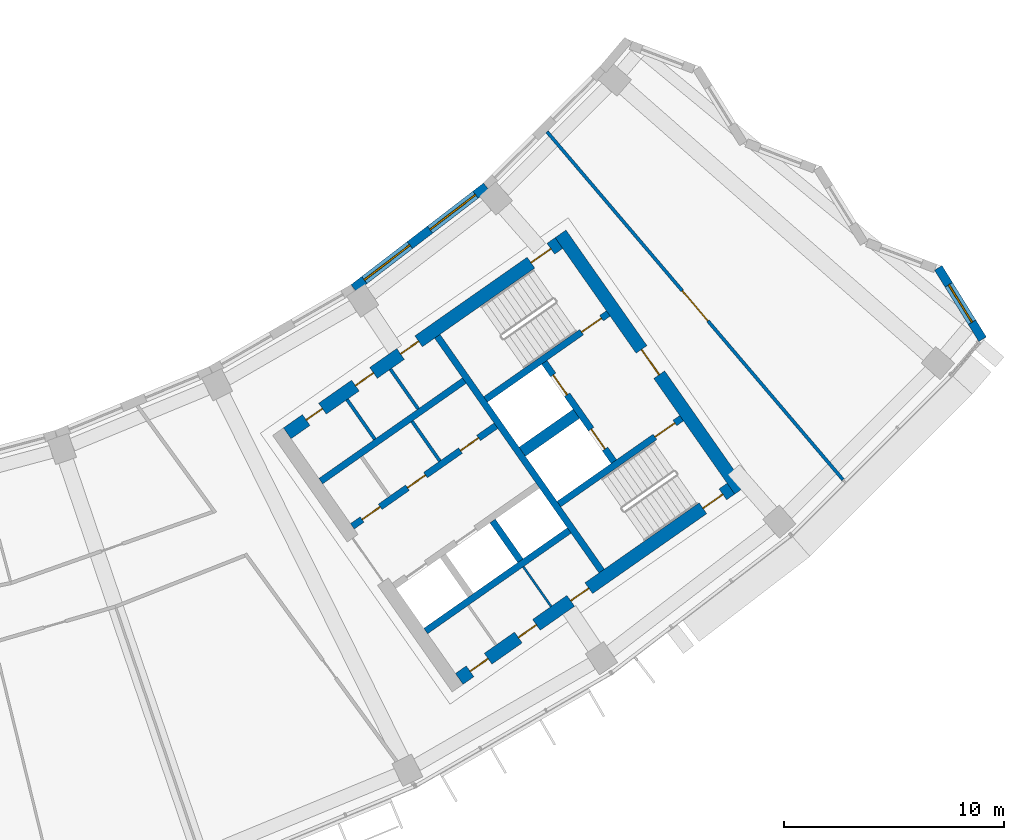
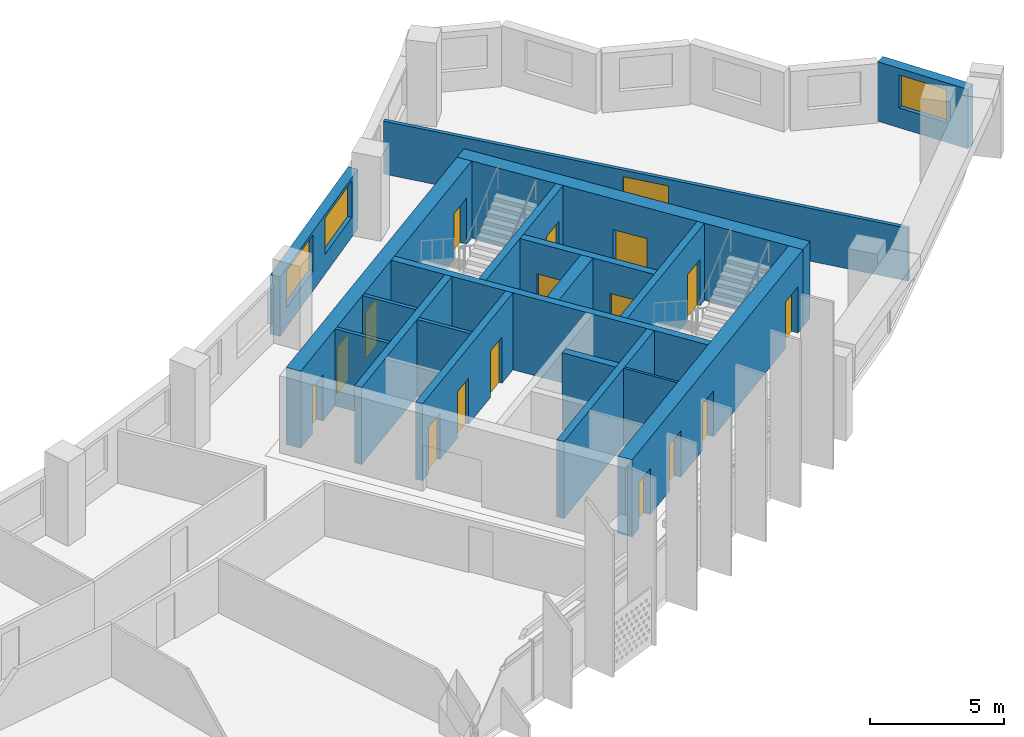
# One storey, part 7 of 28: 19 walls, 17 doors, 3 windows, 20 openings.
"""IFC4 building model written with IfcOpenShell, lengths in metres."""

from ifc_helpers import new_model, si_unit, direction, frame, frame_2d, origin, place, context, subcontext, project, spatial, rectangle, extrude, material, layer, layer_set, type_object, element, fill, save


model = new_model("IFC4")

# Units and contexts
model_context = context("Model", 3, precision=1e-05, world=origin(), true_north=direction((0.0, 1.0)))
body_context = subcontext(model_context, "Body", "Model", "MODEL_VIEW")
ifc_project = project(units=[si_unit("LENGTHUNIT", "METRE"), si_unit("AREAUNIT", "SQUARE_METRE"), si_unit("VOLUMEUNIT", "CUBIC_METRE"), si_unit("PLANEANGLEUNIT", "RADIAN"), si_unit("MASSUNIT", "GRAM", prefix="KILO")], contexts=[model_context])

# Site, building, storey
site_placement = place(None, origin())
site = spatial("IfcSite", under=ifc_project, at=site_placement, CompositionType="ELEMENT")
building_placement = place(site_placement, origin())
building = spatial("IfcBuilding", under=site, at=building_placement, Name="Qamariyya Broadcast Tower", CompositionType="ELEMENT")
storey_placement = place(building_placement, frame((0.0, 0.0, 218.89990234375)))
storey = spatial("IfcBuildingStorey", under=building, at=storey_placement, Name="L52", CompositionType="ELEMENT", Elevation=218.89990234375)

# Wall, opening, door
ifc_material_1 = material(Name="Concrete C60/75", Category="concrete")
ifc_layer_1 = layer(ifc_material_1, 0.60009765625)
ifc_layer_set_1 = layer_set([ifc_layer_1], Name="Core wall 600 mm Concrete C60/75")
wall_type_1 = type_object("IfcWallType", Name="Core wall 600 mm Concrete C60/75", PredefinedType="SHEAR", material=ifc_layer_set_1)
wall_1_placement = place(storey_placement, frame((49.4833984375, -57.031494140625, 0.0), z_axis=(0.0, 0.0, 1.0), x_axis=(-0.573560421458, 0.819163257805, 0.0)))
wall_1 = element("IfcWall", 1, at=wall_1_placement, inside=storey, type_object=wall_type_1, Name="k-E-L52-WH", PredefinedType="SHEAR", context=body_context, shape_type="SweptSolid", body=[
    extrude(rectangle(XDim=14.199951171875, YDim=0.60009765625, at=frame_2d((7.10009765625, 0.0))), origin(), (0.0, 0.0, 1.0), 3.5),
])
opening_1_placement = place(wall_1_placement, frame((6.39990234375, 0.0, 0.0)))
opening_1 = element("IfcOpeningElement", 2, at=opening_1_placement, cuts=wall_1, Name="Opening KD2-E1", PredefinedType="OPENING", context=body_context, shape_type="SweptSolid", body=[
    extrude(rectangle(XDim=1.39990234375, YDim=2.10009765625, at=frame_2d((0.699951171875, 1.050048828125))), frame((0.0, 0.31005859375, 0.0), z_axis=(0.0, -1.0, 0.0), x_axis=(1.0, 0.0, 0.0)), (0.0, 0.0, 1.0), 0.6201171875),
])
ifc_material_2 = material(Name="Steel fire-resisting door leaf", Category="steel")
door_type_1 = type_object("IfcDoorType", Name="Fire-fighting lobby door KD2", OperationType="DOUBLE_DOOR_SINGLE_SWING", PredefinedType="DOOR", material=ifc_material_2)
door_1_placement = place(opening_1_placement, origin())
door_1 = element("IfcDoor", 3, at=door_1_placement, inside=storey, type_object=door_type_1, Name="k-E-L52-WH-D15", OperationType="DOUBLE_DOOR_SINGLE_SWING", OverallHeight=2.10009765625, OverallWidth=1.39990234375, PredefinedType="DOOR", context=body_context, shape_type="SweptSolid", body=[
    extrude(rectangle(XDim=1.39990234375, YDim=2.10009765625, at=frame_2d((0.699951171875, 1.050048828125))), frame((0.0, 0.02490234375, 0.0), z_axis=(0.0, -1.0, 0.0), x_axis=(1.0, 0.0, 0.0)), (0.0, 0.0, 1.0), 0.050048828125),
])
fill(opening_1, door_1)

# Wall, openings, doors
wall_2_placement = place(storey_placement, frame((28.940673828125, -54.447021484375, 0.0), z_axis=(0.0, 0.0, 1.0), x_axis=(0.819153391756, 0.573574511963, 0.0)))
wall_2 = element("IfcWall", 4, at=wall_2_placement, inside=storey, type_object=wall_type_1, Name="k-E-L52-WI", PredefinedType="SHEAR", context=body_context, shape_type="SweptSolid", body=[
    extrude(rectangle(XDim=15.04541015625, YDim=0.60009765625, at=frame_2d((7.522705078125, 0.0))), origin(), (0.0, 0.0, 1.0), 3.5),
])
opening_2_placement = place(wall_2_placement, frame((1.050048828125, 0.0, 0.0)))
opening_2 = element("IfcOpeningElement", 5, at=opening_2_placement, cuts=wall_2, Name="Opening KD5-E1", PredefinedType="OPENING", context=body_context, shape_type="SweptSolid", body=[
    extrude(rectangle(XDim=0.89990234375, YDim=2.10009765625, at=frame_2d((0.449951171875, 1.050048828125))), frame((0.0, 0.31005859375, 0.0), z_axis=(0.0, -1.0, 0.0), x_axis=(1.0, 0.0, 0.0)), (0.0, 0.0, 1.0), 0.6201171875),
])
opening_3_placement = place(wall_2_placement, frame((3.77490234375, 0.0, 0.0)))
opening_3 = element("IfcOpeningElement", 6, at=opening_3_placement, cuts=wall_2, Name="Opening KD7-E1", PredefinedType="OPENING", context=body_context, shape_type="SweptSolid", body=[
    extrude(rectangle(XDim=1.0, YDim=2.10009765625, at=frame_2d((0.5, 1.050048828125))), frame((0.0, 0.31005859375, 0.0), z_axis=(0.0, -1.0, 0.0), x_axis=(1.0, 0.0, 0.0)), (0.0, 0.0, 1.0), 0.6201171875),
])
opening_4_placement = place(wall_2_placement, frame((6.27490234375, 0.0, 0.0)))
opening_4 = element("IfcOpeningElement", 7, at=opening_4_placement, cuts=wall_2, Name="Opening KD6-E3", PredefinedType="OPENING", context=body_context, shape_type="SweptSolid", body=[
    extrude(rectangle(XDim=1.0, YDim=2.10009765625, at=frame_2d((0.5, 1.050048828125))), frame((0.0, 0.31005859375, 0.0), z_axis=(0.0, -1.0, 0.0), x_axis=(1.0, 0.0, 0.0)), (0.0, 0.0, 1.0), 0.6201171875),
])
opening_5_placement = place(wall_2_placement, frame((13.495361328125, 0.0, 0.0)))
opening_5 = element("IfcOpeningElement", 8, at=opening_5_placement, cuts=wall_2, Name="Opening KD1-E1", PredefinedType="OPENING", context=body_context, shape_type="SweptSolid", body=[
    extrude(rectangle(XDim=1.10009765625, YDim=2.10009765625, at=frame_2d((0.550048828125, 1.050048828125))), frame((0.0, 0.31005859375, 0.0), z_axis=(0.0, -1.0, 0.0), x_axis=(1.0, 0.0, 0.0)), (0.0, 0.0, 1.0), 0.6201171875),
])
door_type_2 = type_object("IfcDoorType", Name="Accessible toilet door KD7", OperationType="SINGLE_SWING_LEFT", PredefinedType="DOOR", material=ifc_material_2)
door_2_placement = place(opening_3_placement, origin())
door_2 = element("IfcDoor", 9, at=door_2_placement, inside=storey, type_object=door_type_2, Name="k-E-L52-WI-D8", OperationType="SINGLE_SWING_RIGHT", OverallHeight=2.10009765625, OverallWidth=1.0, PredefinedType="DOOR", context=body_context, shape_type="SweptSolid", body=[
    extrude(rectangle(XDim=1.0, YDim=2.10009765625, at=frame_2d((0.5, 1.050048828125))), frame((0.0, 0.02490234375, 0.0), z_axis=(0.0, -1.0, 0.0), x_axis=(1.0, 0.0, 0.0)), (0.0, 0.0, 1.0), 0.050048828125),
])
fill(opening_3, door_2)
door_type_3 = type_object("IfcDoorType", Name="Core room door KD6", OperationType="SINGLE_SWING_LEFT", PredefinedType="DOOR", material=ifc_material_2)
door_3_placement = place(opening_4_placement, origin())
door_3 = element("IfcDoor", 10, at=door_3_placement, inside=storey, type_object=door_type_3, Name="k-E-L52-WI-D9", OperationType="SINGLE_SWING_LEFT", OverallHeight=2.10009765625, OverallWidth=1.0, PredefinedType="DOOR", context=body_context, shape_type="SweptSolid", body=[
    extrude(rectangle(XDim=1.0, YDim=2.10009765625, at=frame_2d((0.5, 1.050048828125))), frame((0.0, 0.02490234375, 0.0), z_axis=(0.0, -1.0, 0.0), x_axis=(1.0, 0.0, 0.0)), (0.0, 0.0, 1.0), 0.050048828125),
])
fill(opening_4, door_3)
door_type_4 = type_object("IfcDoorType", Name="Stair door KD1", OperationType="SINGLE_SWING_LEFT", PredefinedType="DOOR", material=ifc_material_2)
door_4_placement = place(opening_5_placement, origin())
door_4 = element("IfcDoor", 11, at=door_4_placement, inside=storey, type_object=door_type_4, Name="k-E-L52-WI-D16", OperationType="SINGLE_SWING_RIGHT", OverallHeight=2.10009765625, OverallWidth=1.10009765625, PredefinedType="DOOR", context=body_context, shape_type="SweptSolid", body=[
    extrude(rectangle(XDim=1.10009765625, YDim=2.10009765625, at=frame_2d((0.550048828125, 1.050048828125))), frame((0.0, 0.02490234375, 0.0), z_axis=(0.0, -1.0, 0.0), x_axis=(1.0, 0.0, 0.0)), (0.0, 0.0, 1.0), 0.050048828125),
])
fill(opening_5, door_4)
door_type_5 = type_object("IfcDoorType", Name="Toilet door KD5", OperationType="SINGLE_SWING_LEFT", PredefinedType="DOOR", material=ifc_material_2)
door_5_placement = place(opening_2_placement, origin())
door_5 = element("IfcDoor", 12, at=door_5_placement, inside=storey, type_object=door_type_5, Name="k-E-L52-WI-D7", OperationType="SINGLE_SWING_LEFT", OverallHeight=2.10009765625, OverallWidth=0.89990234375, PredefinedType="DOOR", context=body_context, shape_type="SweptSolid", body=[
    extrude(rectangle(XDim=0.89990234375, YDim=2.10009765625, at=frame_2d((0.449951171875, 1.050048828125))), frame((0.0, 0.02490234375, 0.0), z_axis=(0.0, -1.0, 0.0), x_axis=(1.0, 0.0, 0.0)), (0.0, 0.0, 1.0), 0.050048828125),
])
fill(opening_2, door_5)

wall_3_placement = place(storey_placement, frame((36.7412109375, -65.58740234375, 0.0), z_axis=(0.0, 0.0, 1.0), x_axis=(0.819153391756, 0.573574511963, 0.0)))
wall_3 = element("IfcWall", 13, at=wall_3_placement, inside=storey, type_object=wall_type_1, Name="k-E-L52-WO", PredefinedType="SHEAR", context=body_context, shape_type="SweptSolid", body=[
    extrude(rectangle(XDim=15.04541015625, YDim=0.60009765625, at=frame_2d((7.522705078125, 0.0))), origin(), (0.0, 0.0, 1.0), 3.5),
])
opening_6_placement = place(wall_3_placement, frame((0.60009765625, 0.0, 0.0)))
opening_6 = element("IfcOpeningElement", 14, at=opening_6_placement, cuts=wall_3, Name="Opening KD4-E2", PredefinedType="OPENING", context=body_context, shape_type="SweptSolid", body=[
    extrude(rectangle(XDim=1.0, YDim=2.10009765625, at=frame_2d((0.5, 1.050048828125))), frame((0.0, 0.31005859375, 0.0), z_axis=(0.0, -1.0, 0.0), x_axis=(1.0, 0.0, 0.0)), (0.0, 0.0, 1.0), 0.6201171875),
])
opening_7_placement = place(wall_3_placement, frame((3.27490234375, 0.0, 0.0)))
opening_7 = element("IfcOpeningElement", 15, at=opening_7_placement, cuts=wall_3, Name="Opening KD4-E3", PredefinedType="OPENING", context=body_context, shape_type="SweptSolid", body=[
    extrude(rectangle(XDim=1.0, YDim=2.10009765625, at=frame_2d((0.5, 1.050048828125))), frame((0.0, 0.31005859375, 0.0), z_axis=(0.0, -1.0, 0.0), x_axis=(1.0, 0.0, 0.0)), (0.0, 0.0, 1.0), 0.6201171875),
])
opening_8_placement = place(wall_3_placement, frame((6.175048828125, 0.0, 0.0)))
opening_8 = element("IfcOpeningElement", 16, at=opening_8_placement, cuts=wall_3, Name="Opening KD4-E4", PredefinedType="OPENING", context=body_context, shape_type="SweptSolid", body=[
    extrude(rectangle(XDim=1.0, YDim=2.10009765625, at=frame_2d((0.5, 1.050048828125))), frame((0.0, 0.31005859375, 0.0), z_axis=(0.0, -1.0, 0.0), x_axis=(1.0, 0.0, 0.0)), (0.0, 0.0, 1.0), 0.6201171875),
])
opening_9_placement = place(wall_3_placement, frame((13.495361328125, 0.0, 0.0)))
opening_9 = element("IfcOpeningElement", 17, at=opening_9_placement, cuts=wall_3, Name="Opening KD1-E3", PredefinedType="OPENING", context=body_context, shape_type="SweptSolid", body=[
    extrude(rectangle(XDim=1.10009765625, YDim=2.10009765625, at=frame_2d((0.550048828125, 1.050048828125))), frame((0.0, 0.31005859375, 0.0), z_axis=(0.0, -1.0, 0.0), x_axis=(1.0, 0.0, 0.0)), (0.0, 0.0, 1.0), 0.6201171875),
])
door_type_6 = type_object("IfcDoorType", Name="Riser and plant door KD4", OperationType="SINGLE_SWING_LEFT", PredefinedType="DOOR", material=ifc_material_2)
door_6_placement = place(opening_6_placement, origin())
door_6 = element("IfcDoor", 18, at=door_6_placement, inside=storey, type_object=door_type_6, Name="k-E-L52-WO-D10", OperationType="SINGLE_SWING_RIGHT", OverallHeight=2.10009765625, OverallWidth=1.0, PredefinedType="DOOR", context=body_context, shape_type="SweptSolid", body=[
    extrude(rectangle(XDim=1.0, YDim=2.10009765625, at=frame_2d((0.5, 1.050048828125))), frame((0.0, 0.02490234375, 0.0), z_axis=(0.0, -1.0, 0.0), x_axis=(1.0, 0.0, 0.0)), (0.0, 0.0, 1.0), 0.050048828125),
])
fill(opening_6, door_6)
door_7_placement = place(opening_7_placement, origin())
door_7 = element("IfcDoor", 19, at=door_7_placement, inside=storey, type_object=door_type_6, Name="k-E-L52-WO-D11", OperationType="SINGLE_SWING_LEFT", OverallHeight=2.10009765625, OverallWidth=1.0, PredefinedType="DOOR", context=body_context, shape_type="SweptSolid", body=[
    extrude(rectangle(XDim=1.0, YDim=2.10009765625, at=frame_2d((0.5, 1.050048828125))), frame((0.0, 0.02490234375, 0.0), z_axis=(0.0, -1.0, 0.0), x_axis=(1.0, 0.0, 0.0)), (0.0, 0.0, 1.0), 0.050048828125),
])
fill(opening_7, door_7)
door_8_placement = place(opening_8_placement, origin())
door_8 = element("IfcDoor", 20, at=door_8_placement, inside=storey, type_object=door_type_6, Name="k-E-L52-WO-D12", OperationType="SINGLE_SWING_RIGHT", OverallHeight=2.10009765625, OverallWidth=1.0, PredefinedType="DOOR", context=body_context, shape_type="SweptSolid", body=[
    extrude(rectangle(XDim=1.0, YDim=2.10009765625, at=frame_2d((0.5, 1.050048828125))), frame((0.0, 0.02490234375, 0.0), z_axis=(0.0, -1.0, 0.0), x_axis=(1.0, 0.0, 0.0)), (0.0, 0.0, 1.0), 0.050048828125),
])
fill(opening_8, door_8)
door_9_placement = place(opening_9_placement, origin())
door_9 = element("IfcDoor", 21, at=door_9_placement, inside=storey, type_object=door_type_4, Name="k-E-L52-WO-D18", OperationType="SINGLE_SWING_LEFT", OverallHeight=2.10009765625, OverallWidth=1.10009765625, PredefinedType="DOOR", context=body_context, shape_type="SweptSolid", body=[
    extrude(rectangle(XDim=1.10009765625, YDim=2.10009765625, at=frame_2d((0.550048828125, 1.050048828125))), frame((0.0, 0.02490234375, 0.0), z_axis=(0.0, -1.0, 0.0), x_axis=(1.0, 0.0, 0.0)), (0.0, 0.0, 1.0), 0.050048828125),
])
fill(opening_9, door_9)

# Wall, opening, door
ifc_material_3 = material(Name="Gypsum board partition")
ifc_layer_2 = layer(ifc_material_3, 0.14990234375)
ifc_layer_set_2 = layer_set([ifc_layer_2], Name="Corridor partition 150 EI 60")
wall_type_2 = type_object("IfcWallType", Name="Corridor partition 150 EI 60", PredefinedType="PARTITIONING", material=ifc_layer_set_2)
wall_4_placement = place(storey_placement, frame((40.724853515625, -40.7705078125, 0.0), z_axis=(0.0, 0.0, 1.0), x_axis=(0.647962636986, -0.761672121762, 0.0)))
wall_4 = element("IfcWall", 22, at=wall_4_placement, inside=storey, type_object=wall_type_2, Name="Partition L52-033", PredefinedType="PARTITIONING", context=body_context, shape_type="SweptSolid", body=[
    extrude(rectangle(XDim=20.723388671875, YDim=0.14990234375, at=frame_2d((10.36181640625, 0.0))), origin(), (0.0, 0.0, 1.0), 2.400146484375),
])
opening_10_placement = place(wall_4_placement, frame((9.461669921875, 0.0, 0.0)))
opening_10 = element("IfcOpeningElement", 23, at=opening_10_placement, cuts=wall_4, Name="Opening L52-D16", PredefinedType="OPENING", context=body_context, shape_type="SweptSolid", body=[
    extrude(rectangle(XDim=1.800048828125, YDim=2.10009765625, at=frame_2d((0.89990234375, 1.050048828125))), frame((0.0, 0.0849609375, 0.0), z_axis=(0.0, -1.0, 0.0), x_axis=(1.0, 0.0, 0.0)), (0.0, 0.0, 1.0), 0.169921875),
])
ifc_material_4 = material(Name="Timber fire door leaf", Category="wood")
door_type_7 = type_object("IfcDoorType", Name="Double fire door 1800 x 2100 FD60", OperationType="NOTDEFINED", PredefinedType="DOOR", material=ifc_material_4)
door_10_placement = place(opening_10_placement, origin())
door_10 = element("IfcDoor", 24, at=door_10_placement, inside=storey, type_object=door_type_7, Name="Door L52-D16", OperationType="DOUBLE_DOOR_SINGLE_SWING", OverallHeight=2.10009765625, OverallWidth=1.800048828125, PredefinedType="DOOR", context=body_context, shape_type="SweptSolid", body=[
    extrude(rectangle(XDim=1.800048828125, YDim=2.10009765625, at=frame_2d((0.89990234375, 1.050048828125))), frame((0.0, 0.02490234375, 0.0), z_axis=(0.0, -1.0, 0.0), x_axis=(1.0, 0.0, 0.0)), (0.0, 0.0, 1.0), 0.050048828125),
])
fill(opening_10, door_10)

# Walls
ifc_layer_3 = layer(ifc_material_1, 0.5)
ifc_layer_set_3 = layer_set([ifc_layer_3], Name="Fire-fighting lobby divider wall 500 mm Concrete C60/75")
wall_type_3 = type_object("IfcWallType", Name="Fire-fighting lobby divider wall 500 mm Concrete C60/75", PredefinedType="SOLIDWALL", material=ifc_layer_set_3)
wall_5_placement = place(storey_placement, frame((39.59912109375, -55.28515625, 0.0), z_axis=(0.0, 0.0, 1.0), x_axis=(0.819136323161, 0.573598887793, 0.0)))
element("IfcWall", 25, at=wall_5_placement, inside=storey, type_object=wall_type_3, Name="k-E-L52-FD", PredefinedType="SOLIDWALL", context=body_context, shape_type="SweptSolid", body=[
    extrude(rectangle(XDim=2.999755859375, YDim=0.5, at=frame_2d((1.5, 0.0))), origin(), (0.0, 0.0, 1.0), 3.5),
])
ifc_material_5 = material(Name="Gypsum board partition on steel studs", Category="steel")
ifc_layer_4 = layer(ifc_material_5, 0.14990234375)
ifc_layer_set_4 = layer_set([ifc_layer_4], Name="Gypsum board partition 150 mm")
wall_type_4 = type_object("IfcWallType", Name="Gypsum board partition 150 mm", PredefinedType="PARTITIONING", material=ifc_layer_set_4)
wall_6_placement = place(storey_placement, frame((35.86328125, -55.70361328125, 0.0), z_axis=(0.0, 0.0, 1.0), x_axis=(-0.573507030513, 0.819200638399, 0.0)))
element("IfcWall", 26, at=wall_6_placement, inside=storey, type_object=wall_type_4, Name="k-E-L52-NC495", PredefinedType="PARTITIONING", context=body_context, shape_type="SweptSolid", body=[
    extrude(rectangle(XDim=2.199951171875, YDim=0.14990234375, at=frame_2d((1.10009765625, 0.0))), origin(), (0.0, 0.0, 1.0), 3.5),
])
wall_7_placement = place(storey_placement, frame((32.9140625, -54.716796875, 0.0), z_axis=(0.0, 0.0, 1.0), x_axis=(-0.573581496053, 0.819148501424, 0.0)))
element("IfcWall", 27, at=wall_7_placement, inside=storey, type_object=wall_type_4, Name="k-E-L52-NP310", PredefinedType="PARTITIONING", context=body_context, shape_type="SweptSolid", body=[
    extrude(rectangle(XDim=2.2001953125, YDim=0.14990234375, at=frame_2d((1.10009765625, 0.0))), origin(), (0.0, 0.0, 1.0), 3.5),
])
wall_8_placement = place(storey_placement, frame((34.8798828125, -53.340087890625, 0.0), z_axis=(0.0, 0.0, 1.0), x_axis=(-0.573559170999, 0.819164133348, 0.0)))
element("IfcWall", 28, at=wall_8_placement, inside=storey, type_object=wall_type_4, Name="k-E-L52-NP550", PredefinedType="PARTITIONING", context=body_context, shape_type="SweptSolid", body=[
    extrude(rectangle(XDim=2.19970703125, YDim=0.14990234375, at=frame_2d((1.099853515625, 0.0))), origin(), (0.0, 0.0, 1.0), 3.5),
])
ifc_layer_5 = layer(ifc_material_1, 0.300048828125)
ifc_layer_set_5 = layer_set([ifc_layer_5], Name="Lift shaft wall 300 mm Concrete C60/75")
wall_type_5 = type_object("IfcWallType", Name="Lift shaft wall 300 mm Concrete C60/75", PredefinedType="SOLIDWALL", material=ifc_layer_set_5)
wall_9_placement = place(storey_placement, frame((43.204345703125, -60.69580078125, 0.0), z_axis=(0.0, 0.0, 1.0), x_axis=(-0.573571992966, 0.819155155563, 0.0)))
element("IfcWall", 29, at=wall_9_placement, inside=storey, type_object=wall_type_5, Name="k-E-L52-WL", PredefinedType="SOLIDWALL", context=body_context, shape_type="SweptSolid", body=[
    extrude(rectangle(XDim=13.000244140625, YDim=0.300048828125, at=frame_2d((6.5, 0.0))), origin(), (0.0, 0.0, 1.0), 3.5),
])

# Wall, openings, doors
wall_10_placement = place(storey_placement, frame((31.89453125, -58.66552734375, 0.0), z_axis=(0.0, 0.0, 1.0), x_axis=(0.819166993208, 0.573555086491, 0.0)))
wall_10 = element("IfcWall", 30, at=wall_10_placement, inside=storey, type_object=wall_type_5, Name="k-E-L52-NF0", PredefinedType="SOLIDWALL", context=body_context, shape_type="SweptSolid", body=[
    extrude(rectangle(XDim=7.9501953125, YDim=0.300048828125, at=frame_2d((3.97509765625, 0.0))), origin(), (0.0, 0.0, 1.0), 3.5),
])
opening_11_placement = place(wall_10_placement, frame((0.53759765625, 0.0, 0.0)))
opening_11 = element("IfcOpeningElement", 31, at=opening_11_placement, cuts=wall_10, Name="Opening KD6-E1", PredefinedType="OPENING", context=body_context, shape_type="SweptSolid", body=[
    extrude(rectangle(XDim=1.0, YDim=2.10009765625, at=frame_2d((0.5, 1.050048828125))), frame((0.0, 0.159912109375, 0.0), z_axis=(0.0, -1.0, 0.0), x_axis=(1.0, 0.0, 0.0)), (0.0, 0.0, 1.0), 0.320068359375),
])
opening_12_placement = place(wall_10_placement, frame((3.050048828125, 0.0, 0.0)))
opening_12 = element("IfcOpeningElement", 32, at=opening_12_placement, cuts=wall_10, Name="Opening KD6-E2", PredefinedType="OPENING", context=body_context, shape_type="SweptSolid", body=[
    extrude(rectangle(XDim=1.0, YDim=2.10009765625, at=frame_2d((0.5, 1.050048828125))), frame((0.0, 0.159912109375, 0.0), z_axis=(0.0, -1.0, 0.0), x_axis=(1.0, 0.0, 0.0)), (0.0, 0.0, 1.0), 0.320068359375),
])
opening_13_placement = place(wall_10_placement, frame((5.987548828125, 0.0, 0.0)))
opening_13 = element("IfcOpeningElement", 33, at=opening_13_placement, cuts=wall_10, Name="Opening KD4-E1", PredefinedType="OPENING", context=body_context, shape_type="SweptSolid", body=[
    extrude(rectangle(XDim=1.0, YDim=2.10009765625, at=frame_2d((0.5, 1.050048828125))), frame((0.0, 0.159912109375, 0.0), z_axis=(0.0, -1.0, 0.0), x_axis=(1.0, 0.0, 0.0)), (0.0, 0.0, 1.0), 0.320068359375),
])
door_11_placement = place(opening_11_placement, origin())
door_11 = element("IfcDoor", 34, at=door_11_placement, inside=storey, type_object=door_type_3, Name="k-E-L52-NF0-D2", OperationType="SINGLE_SWING_RIGHT", OverallHeight=2.10009765625, OverallWidth=1.0, PredefinedType="DOOR", context=body_context, shape_type="SweptSolid", body=[
    extrude(rectangle(XDim=1.0, YDim=2.10009765625, at=frame_2d((0.5, 1.050048828125))), frame((0.0, 0.02490234375, 0.0), z_axis=(0.0, -1.0, 0.0), x_axis=(1.0, 0.0, 0.0)), (0.0, 0.0, 1.0), 0.050048828125),
])
fill(opening_11, door_11)
door_12_placement = place(opening_12_placement, origin())
door_12 = element("IfcDoor", 35, at=door_12_placement, inside=storey, type_object=door_type_3, Name="k-E-L52-NF0-D3", OperationType="SINGLE_SWING_LEFT", OverallHeight=2.10009765625, OverallWidth=1.0, PredefinedType="DOOR", context=body_context, shape_type="SweptSolid", body=[
    extrude(rectangle(XDim=1.0, YDim=2.10009765625, at=frame_2d((0.5, 1.050048828125))), frame((0.0, 0.02490234375, 0.0), z_axis=(0.0, -1.0, 0.0), x_axis=(1.0, 0.0, 0.0)), (0.0, 0.0, 1.0), 0.050048828125),
])
fill(opening_12, door_12)
door_13_placement = place(opening_13_placement, origin())
door_13 = element("IfcDoor", 36, at=door_13_placement, inside=storey, type_object=door_type_6, Name="k-E-L52-NF0-D4", OperationType="SINGLE_SWING_RIGHT", OverallHeight=2.10009765625, OverallWidth=1.0, PredefinedType="DOOR", context=body_context, shape_type="SweptSolid", body=[
    extrude(rectangle(XDim=1.0, YDim=2.10009765625, at=frame_2d((0.5, 1.050048828125))), frame((0.0, 0.02490234375, 0.0), z_axis=(0.0, -1.0, 0.0), x_axis=(1.0, 0.0, 0.0)), (0.0, 0.0, 1.0), 0.050048828125),
])
fill(opening_13, door_13)

# Walls
wall_11_placement = place(storey_placement, frame((30.460693359375, -56.61767578125, 0.0), z_axis=(0.0, 0.0, 1.0), x_axis=(0.819142461705, 0.573590121456, 0.0)))
element("IfcWall", 37, at=wall_11_placement, inside=storey, type_object=wall_type_5, Name="k-E-L52-NB0", PredefinedType="SOLIDWALL", context=body_context, shape_type="SweptSolid", body=[
    extrude(rectangle(XDim=7.949951171875, YDim=0.300048828125, at=frame_2d((3.97509765625, 0.0))), origin(), (0.0, 0.0, 1.0), 3.5),
])
wall_12_placement = place(storey_placement, frame((35.22119140625, -63.41650390625, 0.0), z_axis=(0.0, 0.0, 1.0), x_axis=(0.819166993208, 0.573555086491, 0.0)))
element("IfcWall", 38, at=wall_12_placement, inside=storey, type_object=wall_type_5, Name="k-E-L52-SB0", PredefinedType="SOLIDWALL", context=body_context, shape_type="SweptSolid", body=[
    extrude(rectangle(XDim=7.9501953125, YDim=0.300048828125, at=frame_2d((3.97509765625, 0.0))), origin(), (0.0, 0.0, 1.0), 3.5),
])
wall_13_placement = place(storey_placement, frame((38.255859375, -58.423095703125, 0.0), z_axis=(0.0, 0.0, 1.0), x_axis=(0.573633636671, -0.819111989218, 0.0)))
element("IfcWall", 39, at=wall_13_placement, inside=storey, type_object=wall_type_5, Name="k-E-L52-SD1", PredefinedType="SOLIDWALL", context=body_context, shape_type="SweptSolid", body=[
    extrude(rectangle(XDim=2.199951171875, YDim=0.300048828125, at=frame_2d((1.10009765625, 0.0))), origin(), (0.0, 0.0, 1.0), 3.5),
])

# Wall, opening, door
wall_14_placement = place(storey_placement, frame((37.935546875, -52.90966796875, 0.0), z_axis=(0.0, 0.0, 1.0), x_axis=(0.819147518138, 0.57358290031, 0.0)))
wall_14 = element("IfcWall", 40, at=wall_14_placement, inside=storey, type_object=wall_type_5, Name="k-E-L52-NW", PredefinedType="SOLIDWALL", context=body_context, shape_type="SweptSolid", body=[
    extrude(rectangle(XDim=6.79541015625, YDim=0.300048828125, at=frame_2d((3.397705078125, 0.0))), origin(), (0.0, 0.0, 1.0), 3.5),
])
opening_14_placement = place(wall_14_placement, frame((5.3203125, 0.0, 0.0)))
opening_14 = element("IfcOpeningElement", 41, at=opening_14_placement, cuts=wall_14, Name="Opening KD1-E2", PredefinedType="OPENING", context=body_context, shape_type="SweptSolid", body=[
    extrude(rectangle(XDim=1.10009765625, YDim=2.10009765625, at=frame_2d((0.550048828125, 1.050048828125))), frame((0.0, 0.159912109375, 0.0), z_axis=(0.0, -1.0, 0.0), x_axis=(1.0, 0.0, 0.0)), (0.0, 0.0, 1.0), 0.320068359375),
])
door_14_placement = place(opening_14_placement, origin())
door_14 = element("IfcDoor", 42, at=door_14_placement, inside=storey, type_object=door_type_4, Name="k-E-L52-NW-D17", OperationType="SINGLE_SWING_LEFT", OverallHeight=2.10009765625, OverallWidth=1.10009765625, PredefinedType="DOOR", context=body_context, shape_type="SweptSolid", body=[
    extrude(rectangle(XDim=1.10009765625, YDim=2.10009765625, at=frame_2d((0.550048828125, 1.050048828125))), frame((0.0, 0.02490234375, 0.0), z_axis=(0.0, -1.0, 0.0), x_axis=(1.0, 0.0, 0.0)), (0.0, 0.0, 1.0), 0.050048828125),
])
fill(opening_14, door_14)

wall_15_placement = place(storey_placement, frame((41.262451171875, -57.66064453125, 0.0), z_axis=(0.0, 0.0, 1.0), x_axis=(0.819164398642, 0.573558792102, 0.0)))
wall_15 = element("IfcWall", 43, at=wall_15_placement, inside=storey, type_object=wall_type_5, Name="k-E-L52-SW", PredefinedType="SOLIDWALL", context=body_context, shape_type="SweptSolid", body=[
    extrude(rectangle(XDim=6.795166015625, YDim=0.300048828125, at=frame_2d((3.3974609375, 0.0))), origin(), (0.0, 0.0, 1.0), 3.5),
])
opening_15_placement = place(wall_15_placement, frame((5.3203125, 0.0, 0.0)))
opening_15 = element("IfcOpeningElement", 44, at=opening_15_placement, cuts=wall_15, Name="Opening KD1-E4", PredefinedType="OPENING", context=body_context, shape_type="SweptSolid", body=[
    extrude(rectangle(XDim=1.10009765625, YDim=2.10009765625, at=frame_2d((0.550048828125, 1.050048828125))), frame((0.0, 0.159912109375, 0.0), z_axis=(0.0, -1.0, 0.0), x_axis=(1.0, 0.0, 0.0)), (0.0, 0.0, 1.0), 0.320068359375),
])
door_15_placement = place(opening_15_placement, origin())
door_15 = element("IfcDoor", 45, at=door_15_placement, inside=storey, type_object=door_type_4, Name="k-E-L52-SW-D19", OperationType="SINGLE_SWING_LEFT", OverallHeight=2.10009765625, OverallWidth=1.10009765625, PredefinedType="DOOR", context=body_context, shape_type="SweptSolid", body=[
    extrude(rectangle(XDim=1.10009765625, YDim=2.10009765625, at=frame_2d((0.550048828125, 1.050048828125))), frame((0.0, 0.02490234375, 0.0), z_axis=(0.0, -1.0, 0.0), x_axis=(1.0, 0.0, 0.0)), (0.0, 0.0, 1.0), 0.050048828125),
])
fill(opening_15, door_15)

# Wall, openings, doors
wall_16_placement = place(storey_placement, frame((43.756591796875, -55.731201171875, 0.0), z_axis=(0.0, 0.0, 1.0), x_axis=(-0.573536818435, 0.819179783625, 0.0)))
wall_16 = element("IfcWall", 46, at=wall_16_placement, inside=storey, type_object=wall_type_5, Name="k-E-L52-FF", PredefinedType="SOLIDWALL", context=body_context, shape_type="SweptSolid", body=[
    extrude(rectangle(XDim=5.500244140625, YDim=0.300048828125, at=frame_2d((2.75, 0.0))), origin(), (0.0, 0.0, 1.0), 3.5),
])
opening_16_placement = place(wall_16_placement, frame((0.699951171875, 0.0, 0.0)))
opening_16 = element("IfcOpeningElement", 47, at=opening_16_placement, cuts=wall_16, Name="Opening LD", PredefinedType="OPENING", context=body_context, shape_type="SweptSolid", body=[
    extrude(rectangle(XDim=1.10009765625, YDim=2.10009765625, at=frame_2d((0.550048828125, 1.050048828125))), frame((0.0, 0.159912109375, 0.0), z_axis=(0.0, -1.0, 0.0), x_axis=(1.0, 0.0, 0.0)), (0.0, 0.0, 1.0), 0.320068359375),
])
opening_17_placement = place(wall_16_placement, frame((3.699951171875, 0.0, 0.0)))
opening_17 = element("IfcOpeningElement", 48, at=opening_17_placement, cuts=wall_16, Name="Opening LD", PredefinedType="OPENING", context=body_context, shape_type="SweptSolid", body=[
    extrude(rectangle(XDim=1.10009765625, YDim=2.10009765625, at=frame_2d((0.550048828125, 1.050048828125))), frame((0.0, 0.159912109375, 0.0), z_axis=(0.0, -1.0, 0.0), x_axis=(1.0, 0.0, 0.0)), (0.0, 0.0, 1.0), 0.320068359375),
])
door_type_8 = type_object("IfcDoorType", Name="Lift landing door LD", OperationType="DOUBLE_DOOR_SLIDING", PredefinedType="DOOR", material=ifc_material_2)
door_16_placement = place(opening_16_placement, origin())
door_16 = element("IfcDoor", 49, at=door_16_placement, inside=storey, type_object=door_type_8, Name="k-E-L52-FF-D13", OperationType="DOUBLE_DOOR_SLIDING", OverallHeight=2.10009765625, OverallWidth=1.10009765625, PredefinedType="DOOR", context=body_context, shape_type="SweptSolid", body=[
    extrude(rectangle(XDim=1.10009765625, YDim=2.10009765625, at=frame_2d((0.550048828125, 1.050048828125))), frame((0.0, 0.02490234375, 0.0), z_axis=(0.0, -1.0, 0.0), x_axis=(1.0, 0.0, 0.0)), (0.0, 0.0, 1.0), 0.050048828125),
])
fill(opening_16, door_16)
door_17_placement = place(opening_17_placement, origin())
door_17 = element("IfcDoor", 50, at=door_17_placement, inside=storey, type_object=door_type_8, Name="k-E-L52-FF-D14", OperationType="DOUBLE_DOOR_SLIDING", OverallHeight=2.10009765625, OverallWidth=1.10009765625, PredefinedType="DOOR", context=body_context, shape_type="SweptSolid", body=[
    extrude(rectangle(XDim=1.10009765625, YDim=2.10009765625, at=frame_2d((0.550048828125, 1.050048828125))), frame((0.0, 0.02490234375, 0.0), z_axis=(0.0, -1.0, 0.0), x_axis=(1.0, 0.0, 0.0)), (0.0, 0.0, 1.0), 0.050048828125),
])
fill(opening_17, door_17)

# Wall
ifc_material_6 = material(Name="Fire-rated gypsum shaft liner on steel studs", Category="steel")
ifc_layer_6 = layer(ifc_material_6, 0.10009765625)
ifc_layer_set_6 = layer_set([ifc_layer_6], Name="Riser wall 100 mm")
wall_type_6 = type_object("IfcWallType", Name="Riser wall 100 mm", PredefinedType="PLUMBINGWALL", material=ifc_layer_set_6)
wall_17_placement = place(storey_placement, frame((39.64892578125, -60.49951171875, 0.0), z_axis=(0.0, 0.0, 1.0), x_axis=(0.573507030513, -0.819200638399, 0.0)))
element("IfcWall", 51, at=wall_17_placement, inside=storey, type_object=wall_type_6, Name="k-E-L52-SP530", PredefinedType="PLUMBINGWALL", context=body_context, shape_type="SweptSolid", body=[
    extrude(rectangle(XDim=2.199951171875, YDim=0.10009765625, at=frame_2d((1.10009765625, 0.0))), origin(), (0.0, 0.0, 1.0), 3.5),
])

# Wall, opening, window
ifc_material_7 = material(Name="Terracotta", Category="masonry")
ifc_layer_7 = layer(ifc_material_7, 0.39990234375)
ifc_layer_set_7 = layer_set([ifc_layer_7], Name="Terracotta clad wall 400")
wall_type_7 = type_object("IfcWallType", Name="Terracotta clad wall 400", PredefinedType="SOLIDWALL", material=ifc_layer_set_7)
wall_18_placement = place(storey_placement, frame((60.4794921875, -50.18017578125, 0.0), z_axis=(0.0, 0.0, 1.0), x_axis=(-0.527322972736, 0.849664923617, 0.0)))
wall_18 = element("IfcWall", 52, at=wall_18_placement, inside=storey, type_object=wall_type_7, Name="e-wl-L52-capE0", PredefinedType="SOLIDWALL", context=body_context, shape_type="SweptSolid", body=[
    extrude(rectangle(XDim=3.808837890625, YDim=0.39990234375, at=frame_2d((1.904296875, 0.0))), origin(), (0.0, 0.0, 1.0), 2.7001953125),
])
opening_18_placement = place(wall_18_placement, frame((0.904296875, 0.0, 0.89990234375)))
opening_18 = element("IfcOpeningElement", 53, at=opening_18_placement, cuts=wall_18, Name="Opening W4", PredefinedType="OPENING", context=body_context, shape_type="SweptSolid", body=[
    extrude(rectangle(XDim=2.0, YDim=1.5, at=frame_2d((1.0, 0.75))), frame((0.0, 0.2099609375, 0.0), z_axis=(0.0, -1.0, 0.0), x_axis=(1.0, 0.0, 0.0)), (0.0, 0.0, 1.0), 0.419921875),
])
ifc_material_8 = material(Name="Clear low-e double glazed unit in aluminium frame", Category="aluminium")
window_type_1 = type_object("IfcWindowType", Name="Horn bay window 2000 x 1500", PartitioningType="SINGLE_PANEL", PredefinedType="WINDOW", material=ifc_material_8)
window_1_placement = place(opening_18_placement, origin())
window_1 = element("IfcWindow", 54, at=window_1_placement, inside=storey, type_object=window_type_1, Name="e-w-L52-capE0", OverallHeight=1.5, OverallWidth=2.0, PartitioningType="SINGLE_PANEL", PredefinedType="WINDOW", context=body_context, shape_type="SweptSolid", body=[
    extrude(rectangle(XDim=2.0, YDim=1.5, at=frame_2d((1.0, 0.75))), frame((0.0, 0.030029296875, 0.0), z_axis=(0.0, -1.0, 0.0), x_axis=(1.0, 0.0, 0.0)), (0.0, 0.0, 1.0), 0.06005859375),
])
fill(opening_18, window_1)

# Wall, openings, windows
wall_19_placement = place(storey_placement, frame((37.965576171875, -43.25341796875, 0.0), z_axis=(0.0, 0.0, 1.0), x_axis=(-0.793356365089, -0.608757486995, 0.0)))
wall_19 = element("IfcWall", 55, at=wall_19_placement, inside=storey, type_object=wall_type_7, Name="e-wl-L52-in130", PredefinedType="SOLIDWALL", context=body_context, shape_type="SweptSolid", body=[
    extrude(rectangle(XDim=7.578125, YDim=0.39990234375, at=frame_2d((3.7890625, 0.0))), origin(), (0.0, 0.0, 1.0), 2.7001953125),
])
opening_19_placement = place(wall_19_placement, frame((4.364501953125, 0.0, 0.89990234375)))
opening_19 = element("IfcOpeningElement", 56, at=opening_19_placement, cuts=wall_19, Name="Opening W1", PredefinedType="OPENING", context=body_context, shape_type="SweptSolid", body=[
    extrude(rectangle(XDim=2.60009765625, YDim=1.64990234375, at=frame_2d((1.300048828125, 0.824951171875))), frame((0.0, 0.2099609375, 0.0), z_axis=(0.0, -1.0, 0.0), x_axis=(1.0, 0.0, 0.0)), (0.0, 0.0, 1.0), 0.419921875),
])
opening_20_placement = place(wall_19_placement, frame((0.613525390625, 0.0, 0.89990234375)))
opening_20 = element("IfcOpeningElement", 57, at=opening_20_placement, cuts=wall_19, Name="Opening W1", PredefinedType="OPENING", context=body_context, shape_type="SweptSolid", body=[
    extrude(rectangle(XDim=2.60009765625, YDim=1.64990234375, at=frame_2d((1.300048828125, 0.824951171875))), frame((0.0, 0.2099609375, 0.0), z_axis=(0.0, -1.0, 0.0), x_axis=(1.0, 0.0, 0.0)), (0.0, 0.0, 1.0), 0.419921875),
])
window_type_2 = type_object("IfcWindowType", Name="Ribbon window 2600 x 1650", PartitioningType="SINGLE_PANEL", PredefinedType="WINDOW", material=ifc_material_8)
window_2_placement = place(opening_19_placement, origin())
window_2 = element("IfcWindow", 58, at=window_2_placement, inside=storey, type_object=window_type_2, Name="e-w-L52-in13-0", OverallHeight=1.64990234375, OverallWidth=2.60009765625, PartitioningType="SINGLE_PANEL", PredefinedType="WINDOW", context=body_context, shape_type="SweptSolid", body=[
    extrude(rectangle(XDim=2.60009765625, YDim=1.64990234375, at=frame_2d((1.300048828125, 0.824951171875))), frame((0.0, 0.030029296875, 0.0), z_axis=(0.0, -1.0, 0.0), x_axis=(1.0, 0.0, 0.0)), (0.0, 0.0, 1.0), 0.06005859375),
])
fill(opening_19, window_2)
window_3_placement = place(opening_20_placement, origin())
window_3 = element("IfcWindow", 59, at=window_3_placement, inside=storey, type_object=window_type_2, Name="e-w-L52-in13-1", OverallHeight=1.64990234375, OverallWidth=2.60009765625, PartitioningType="SINGLE_PANEL", PredefinedType="WINDOW", context=body_context, shape_type="SweptSolid", body=[
    extrude(rectangle(XDim=2.60009765625, YDim=1.64990234375, at=frame_2d((1.300048828125, 0.824951171875))), frame((0.0, 0.030029296875, 0.0), z_axis=(0.0, -1.0, 0.0), x_axis=(1.0, 0.0, 0.0)), (0.0, 0.0, 1.0), 0.06005859375),
])
fill(opening_20, window_3)

save(model, "model.ifc")
